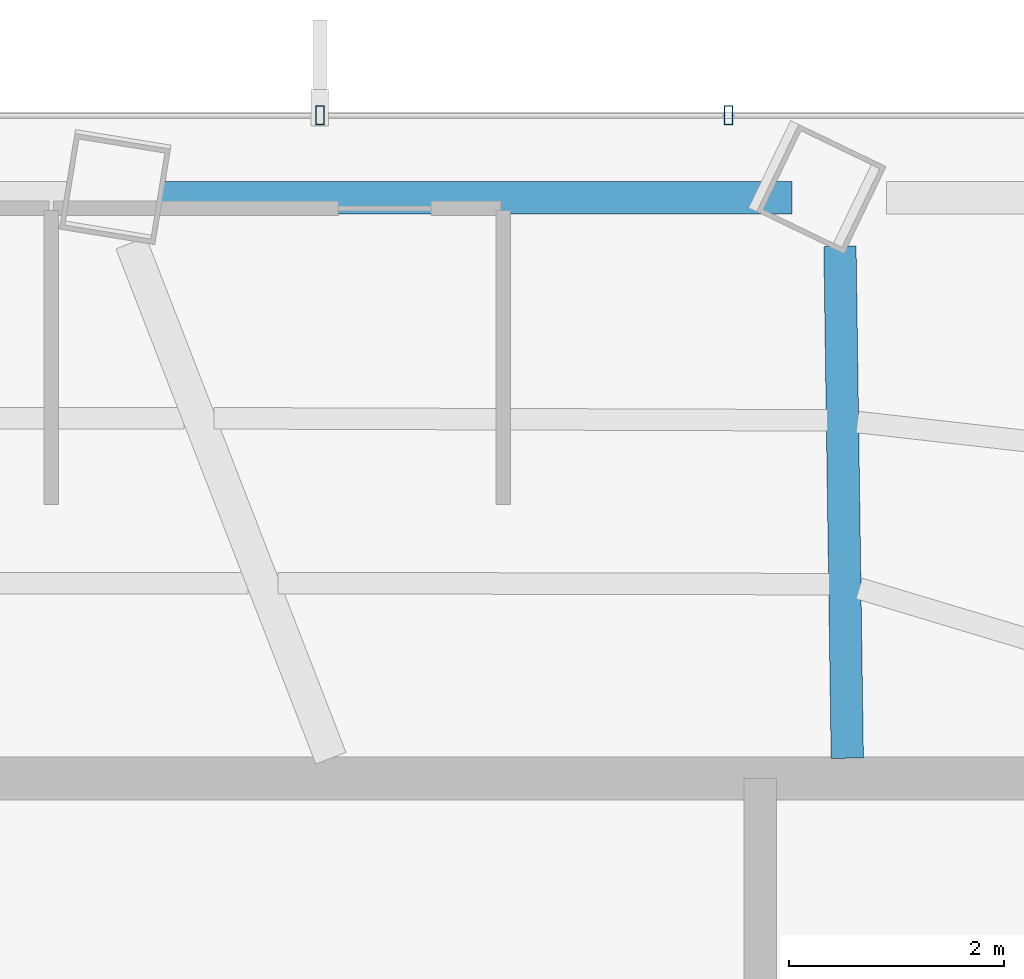
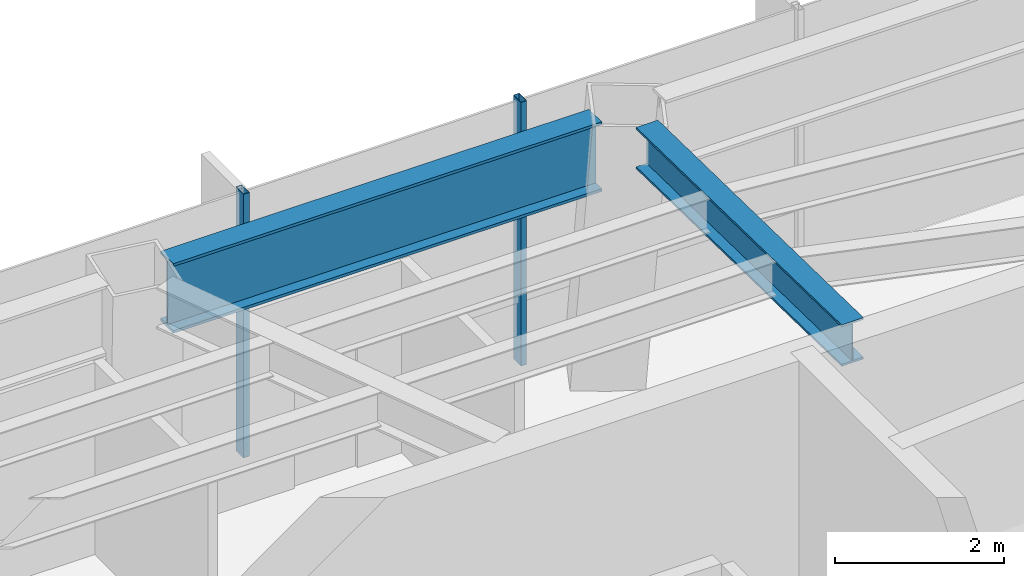
# One storey, part 15 of 26: 2 beams, 2 members, 1 element without a shape of its own.
"""IFC4 building model written with IfcOpenShell, lengths in metres."""

import ifcopenshell
import ifcopenshell.guid

model = None  # the IFC model being written
_history = None  # IfcOwnerHistory: only IFC2X3 demands one
_inside = {}  # id of a spatial element -> (the spatial element, [elements in it])
_under = {}  # id of a project, library or spatial element -> (it, [spatial elements below it])
_declared = {}  # id of a project -> (the project, [libraries it declares])
_typed = {}  # id of a type object -> (the type object, [elements of that type])
_made_of = {}  # id of a material, layer set ... -> (it, [elements and type objects made of it])


def new_model(schema):
    """Start an empty IFC model of exactly this schema.

    Asked for "IFC4X3", IfcOpenShell would pick the latest addendum, in which some entities
    have other attributes; the version numbers below select the first issue.
    IFC2X3 requires an IfcOwnerHistory on every rooted entity: one is made here for all.
    """
    global model, _history
    if schema == "IFC4X3":
        model = ifcopenshell.file(schema_version=(4, 3, 0, 0))
    else:
        model = ifcopenshell.file(schema=schema)
    _inside.clear()
    _under.clear()
    _declared.clear()
    _typed.clear()
    _made_of.clear()
    _history = None
    if model.schema == "IFC2X3":
        org = make("IfcOrganization", Name="unknown")
        user = make(
            "IfcPersonAndOrganization",
            ThePerson=make("IfcPerson", FamilyName="unknown"),
            TheOrganization=org,
        )
        app = make(
            "IfcApplication",
            ApplicationDeveloper=org,
            Version="unknown",
            ApplicationFullName="unknown",
            ApplicationIdentifier="unknown",
        )
        _history = make(
            "IfcOwnerHistory",
            OwningUser=user,
            OwningApplication=app,
            ChangeAction="ADDED",
            CreationDate=0,
        )
    return model


def make(cls, **values):
    """One entity of the class cls with the attributes given. An attribute that is None is left unset."""
    return model.create_entity(
        cls, **{name: value for name, value in values.items() if value is not None}
    )


def rooted(cls, **values):
    """An entity with a GlobalId (a new one), such as an element, a storey or a relation."""
    return make(cls, GlobalId=ifcopenshell.guid.new(), OwnerHistory=_history, **values)


def si_unit(unit_type, name, prefix=None):
    """IfcSIUnit, for example si_unit("LENGTHUNIT", "METRE", prefix="MILLI")."""
    return make("IfcSIUnit", UnitType=unit_type, Prefix=prefix, Name=name)


def assignment(units):
    """IfcUnitAssignment: the units of a project."""
    return None if units is None else make("IfcUnitAssignment", Units=units)


def point(xyz):
    """IfcCartesianPoint."""
    return None if xyz is None else make("IfcCartesianPoint", Coordinates=xyz)


def direction(xyz):
    """IfcDirection."""
    return None if xyz is None else make("IfcDirection", DirectionRatios=xyz)


def frame(location, z_axis=None, x_axis=None):
    """IfcAxis2Placement3D, a coordinate frame: its origin and axes. An axis left out is left unset."""
    return make(
        "IfcAxis2Placement3D",
        Location=point(location),
        Axis=direction(z_axis),
        RefDirection=direction(x_axis),
    )


def frame_2d(location, x_axis=None):
    """IfcAxis2Placement2D, a coordinate frame in the plane: its origin and x axis."""
    return make(
        "IfcAxis2Placement2D", Location=point(location), RefDirection=direction(x_axis)
    )


def origin():
    """The frame at (0, 0, 0) with its axes left unset."""
    return frame((0.0, 0.0, 0.0))


def origin_2d():
    """The frame at (0, 0) in the plane with its x axis left unset."""
    return frame_2d((0.0, 0.0))


def place(relative_to, where):
    """IfcLocalPlacement: puts the frame where relative to a parent placement (None: the world)."""
    return make(
        "IfcLocalPlacement", PlacementRelTo=relative_to, RelativePlacement=where
    )


def context(
    kind, dimensions, precision=None, world=None, true_north=None, identifier=None
):
    """IfcGeometricRepresentationContext, for example the 3D "Model" context."""
    return make(
        "IfcGeometricRepresentationContext",
        ContextIdentifier=identifier,
        ContextType=kind,
        CoordinateSpaceDimension=dimensions,
        Precision=precision,
        WorldCoordinateSystem=world,
        TrueNorth=true_north,
    )


def subcontext(parent, identifier, kind, view, scale=None):
    """IfcGeometricRepresentationSubContext, for example "Body" below "Model"."""
    return make(
        "IfcGeometricRepresentationSubContext",
        ContextIdentifier=identifier,
        ContextType=kind,
        ParentContext=parent,
        TargetScale=scale,
        TargetView=view,
    )


def project(units=None, contexts=None):
    """IfcProject with its units and contexts."""
    return rooted(
        "IfcProject",
        Name="project",
        RepresentationContexts=contexts,
        UnitsInContext=assignment(units),
    )


def spatial(cls, under=None, at=None, **own):
    """A site, building, storey or space (cls), placed at a placement, below another one or the project."""
    s = rooted(cls, ObjectPlacement=at, **own)
    if under is not None:
        _under.setdefault(under.id(), (under, []))[1].append(s)
    return s


def profile(cls, at=None, kind="AREA", **sizes):
    """A parametric profile (cls). Its sizes go by their IFC names, for example OverallWidth=200.0."""
    return make(cls, ProfileType=kind, Position=at, **sizes)


def hollow_rectangle(**sizes):
    """IfcRectangleHollowProfileDef."""
    return profile("IfcRectangleHollowProfileDef", **sizes)


def i_section(**sizes):
    """IfcIShapeProfileDef."""
    return profile("IfcIShapeProfileDef", **sizes)


def extrude(swept, where, along, depth):
    """IfcExtrudedAreaSolid: the profile swept, set in the frame where, extruded along a direction by depth."""
    return make(
        "IfcExtrudedAreaSolid",
        SweptArea=swept,
        Position=where,
        ExtrudedDirection=direction(along),
        Depth=depth,
    )


def shape(context_of_items, identifier, shape_type, items):
    """IfcShapeRepresentation: the items that make up one representation, for example the "Body"."""
    return make(
        "IfcShapeRepresentation",
        ContextOfItems=context_of_items,
        RepresentationIdentifier=identifier,
        RepresentationType=shape_type,
        Items=items,
    )


def material(Name=None, Category=None):
    """IfcMaterial."""
    return make("IfcMaterial", Name=Name, Category=Category)


def layer(
    of_material, thickness, ventilated=None, Name=None, Category=None, Priority=None
):
    """IfcMaterialLayer: one layer of a wall or slab, of a material (None: an air gap)."""
    return make(
        "IfcMaterialLayer",
        Material=of_material,
        LayerThickness=thickness,
        IsVentilated=ventilated,
        Name=Name,
        Category=Category,
        Priority=Priority,
    )


def layer_set(layers, Name=None):
    """IfcMaterialLayerSet."""
    return make("IfcMaterialLayerSet", MaterialLayers=layers, LayerSetName=Name)


def material_profile(
    of_material, cross_section, Name=None, Category=None, Priority=None
):
    """IfcMaterialProfile: a cross section and its material."""
    return make(
        "IfcMaterialProfile",
        Name=Name,
        Material=of_material,
        Profile=cross_section,
        Priority=Priority,
        Category=Category,
    )


def profile_set(profiles, Name=None, composite=None):
    """IfcMaterialProfileSet."""
    return make(
        "IfcMaterialProfileSet",
        Name=Name,
        MaterialProfiles=profiles,
        CompositeProfile=composite,
    )


def made_of(thing, what):
    """Note that an element or type object is made of a material, layer set ...; save() writes the relation."""
    if what is not None:
        _made_of.setdefault(what.id(), (what, []))[1].append(thing)
    return thing


def type_object(cls, material=None, **own):
    """A type object (cls), such as IfcWallType, which elements share."""
    return made_of(rooted(cls, **own), material)


def element(
    cls,
    number,
    at=None,
    inside=None,
    cuts=None,
    type_object=None,
    material=None,
    context=None,
    identifier="Body",
    shape_type=None,
    held_by="IfcProductDefinitionShape",
    body=None,
    shapes=None,
    **own,
):
    """One element of the class cls, such as IfcWall. Its Tag is "e" and its number.

    at: its placement. inside: the storey or other place that contains it. cuts: it is an
    opening in that element (IfcRelVoidsElement). A single representation is given by context,
    identifier, shape_type and body (its items); several are given by shapes. held_by: the class
    of the entity that holds the representations. save() writes the other relations.
    """
    e = rooted(cls, Tag="e%d" % number, ObjectPlacement=at, **own)
    if body is not None:
        shapes = [shape(context, identifier, shape_type, body)]
    if shapes is not None:
        e.Representation = make(held_by, Representations=shapes)
    if inside is not None:
        _inside.setdefault(inside.id(), (inside, []))[1].append(e)
    if cuts is not None:
        rooted(
            "IfcRelVoidsElement", RelatingBuildingElement=cuts, RelatedOpeningElement=e
        )
    if type_object is not None:
        _typed.setdefault(type_object.id(), (type_object, []))[1].append(e)
    return made_of(e, material)


def aggregate(whole, parts):
    """IfcRelAggregates: a whole, such as a stair, and the parts it consists of."""
    return rooted("IfcRelAggregates", RelatingObject=whole, RelatedObjects=parts)


def save(model, path):
    """Write the relations noted so far, then the file.

    IfcRelAggregates (storeys below a building ...), IfcRelContainedInSpatialStructure (elements
    in a storey), IfcRelDefinesByType, IfcRelAssociatesMaterial and IfcRelDeclares: one each for
    every whole, place, type object, material and project.
    """
    for whole, parts in _under.values():
        aggregate(whole, parts)
    for where, things in _inside.values():
        rooted(
            "IfcRelContainedInSpatialStructure",
            RelatedElements=things,
            RelatingStructure=where,
        )
    for kind, things in _typed.values():
        rooted("IfcRelDefinesByType", RelatedObjects=things, RelatingType=kind)
    for what, things in _made_of.values():
        rooted("IfcRelAssociatesMaterial", RelatedObjects=things, RelatingMaterial=what)
    for by, libraries in _declared.values():
        rooted("IfcRelDeclares", RelatingContext=by, RelatedDefinitions=libraries)
    model.write(path)


model = new_model("IFC4")

# Units and contexts
model_context = context("Model", 3, precision=1e-05, world=origin(), true_north=direction((0.0, 1.0)))
body_context = subcontext(model_context, "Body", "Model", "MODEL_VIEW")
ifc_project = project(units=[si_unit("LENGTHUNIT", "METRE"), si_unit("AREAUNIT", "SQUARE_METRE"), si_unit("VOLUMEUNIT", "CUBIC_METRE"), si_unit("PLANEANGLEUNIT", "RADIAN"), si_unit("MASSUNIT", "GRAM", prefix="KILO")], contexts=[model_context])

# Site, building, storey
site_placement = place(None, origin())
site = spatial("IfcSite", under=ifc_project, at=site_placement, CompositionType="ELEMENT")
building_placement = place(site_placement, origin())
building = spatial("IfcBuilding", under=site, at=building_placement, Name="Zarrinselat Tower", CompositionType="ELEMENT")
storey_placement = place(building_placement, frame((0.0, 0.0, 92.820068359375)))
storey = spatial("IfcBuildingStorey", under=building, at=storey_placement, Name="L22", CompositionType="ELEMENT", Elevation=92.820068359375)

# Beams
ifc_material_1 = material(Name="Steel S355J2", Category="steel")
ifc_material_profile_1 = material_profile(ifc_material_1, i_section(OverallWidth=0.300048828125, OverallDepth=0.60009765625, WebThickness=0.015380859375, FlangeThickness=0.030029296875, at=origin_2d()), Name="HEB 600")
ifc_profile_set_1 = profile_set([ifc_material_profile_1], Name="Steel S355J2")
beam_type_1 = type_object("IfcBeamType", Name="BM-HEB600", PredefinedType="BEAM", material=ifc_profile_set_1)
beam_1_placement = place(storey_placement, frame((45.731689453125, 48.39794921875, 3.52001953125), z_axis=(0.014365596319, -0.999896809497, 0.0), x_axis=(0.999896809497, 0.014365596319, 0.0)))
element("IfcBeam", 1, at=beam_1_placement, inside=storey, type_object=beam_type_1, Name="L22 Radial Primary Girder RG02", PredefinedType="BEAM", context=body_context, shape_type="SweptSolid", body=[
    extrude(i_section(OverallWidth=0.300048828125, OverallDepth=0.60009765625, WebThickness=0.015380859375, FlangeThickness=0.030029296875, at=origin_2d()), origin(), (0.0, 0.0, 1.0), 4.758544921875),
])
ifc_material_2 = material(Name="Steel S460M", Category="steel")
ifc_material_profile_2 = material_profile(ifc_material_2, i_section(OverallWidth=0.302001953125, OverallDepth=1.008056640625, WebThickness=0.02099609375, FlangeThickness=0.0400390625, at=origin_2d()), Name="HEM 1000")
ifc_profile_set_2 = profile_set([ifc_material_profile_2], Name="Steel S460M")
beam_type_2 = type_object("IfcBeamType", Name="BM-HEM1000", PredefinedType="BEAM", material=ifc_profile_set_2)
beam_2_placement = place(storey_placement, frame((39.4169921875, 48.85009765625, 3.31591796875), z_axis=(1.0, 0.0, 0.0), x_axis=(0.0, 1.0, 0.0)))
element("IfcBeam", 2, at=beam_2_placement, inside=storey, type_object=beam_type_2, Name="L22 Perimeter Spandrel Girder SP02", PredefinedType="BEAM", context=body_context, shape_type="SweptSolid", body=[
    extrude(i_section(OverallWidth=0.302001953125, OverallDepth=1.008056640625, WebThickness=0.02099609375, FlangeThickness=0.0400390625, at=origin_2d()), origin(), (0.0, 0.0, 1.0), 5.870361328125),
])

# Curtain wall, members
ifc_material_3 = material(Name="Extruded Aluminium Alloy EN AW-6063 T6", Category="aluminium")
ifc_layer = layer(ifc_material_3, 0.18505859375)
ifc_layer_set = layer_set([ifc_layer], Name="Extruded Aluminium Alloy EN AW-6063 T6")
curtain_wall_type = type_object("IfcCurtainWallType", Name="CWS-OFF", PredefinedType="NOTDEFINED", material=ifc_layer_set)
curtain_wall_placement = place(storey_placement, origin())
curtain_wall = element("IfcCurtainWall", 3, at=curtain_wall_placement, inside=storey, type_object=curtain_wall_type, Name="L22 Unitised Curtain Wall CW-L22-E01", PredefinedType="NOTDEFINED")
ifc_material_4 = material(Name="Extruded Aluminium Alloy EN AW-6063 T6", Category="aluminium")
ifc_material_profile_3 = material_profile(ifc_material_4, hollow_rectangle(XDim=0.080078125, YDim=0.179931640625, WallThickness=0.0048828125, at=origin_2d()), Name="RHS 180x80x5")
ifc_profile_set_3 = profile_set([ifc_material_profile_3], Name="Extruded Aluminium Alloy EN AW-6063 T6")
member_type = type_object("IfcMemberType", Name="MEM-CW-MUL", PredefinedType="MULLION", material=ifc_profile_set_3)
member_1_placement = place(storey_placement, frame((44.6953125, 49.61669921875, 0.0), z_axis=(0.0, 0.0, 1.0), x_axis=(-1.0, 0.0, 0.0)))
member_1 = element("IfcMember", 4, at=member_1_placement, type_object=member_type, Name="CW-L22-E01 Mullion 2", PredefinedType="MULLION", context=body_context, shape_type="SweptSolid", body=[
    extrude(hollow_rectangle(XDim=0.080078125, YDim=0.179931640625, WallThickness=0.0048828125, at=origin_2d()), origin(), (0.0, 0.0, 1.0), 3.81982421875),
])
member_2_placement = place(storey_placement, frame((40.897216796875, 49.61669921875, 0.0), z_axis=(0.0, 0.0, 1.0), x_axis=(-1.0, 0.0, 0.0)))
member_2 = element("IfcMember", 5, at=member_2_placement, type_object=member_type, Name="CW-L22-E01 Mullion 3", PredefinedType="MULLION", context=body_context, shape_type="SweptSolid", body=[
    extrude(hollow_rectangle(XDim=0.080078125, YDim=0.179931640625, WallThickness=0.0048828125, at=origin_2d()), origin(), (0.0, 0.0, 1.0), 3.81982421875),
])
aggregate(curtain_wall, [member_1, member_2])

save(model, "model.ifc")
